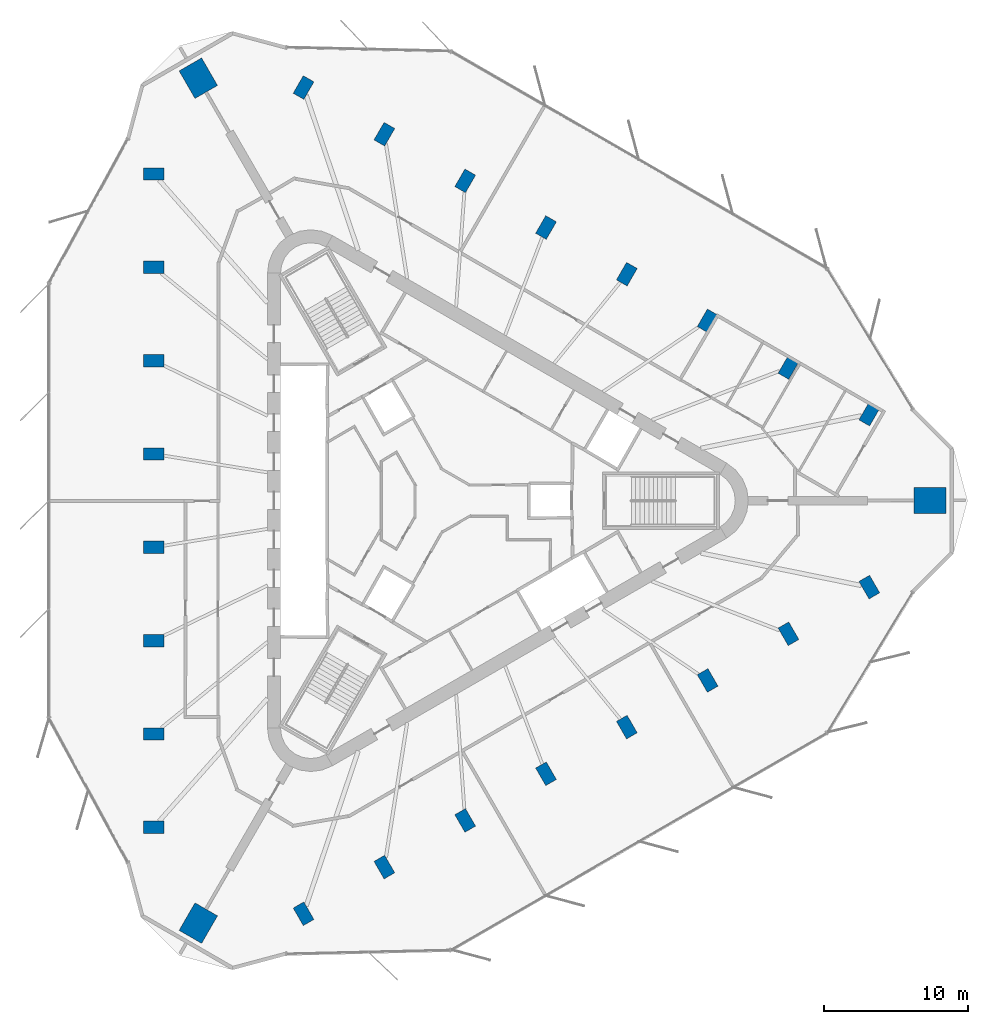
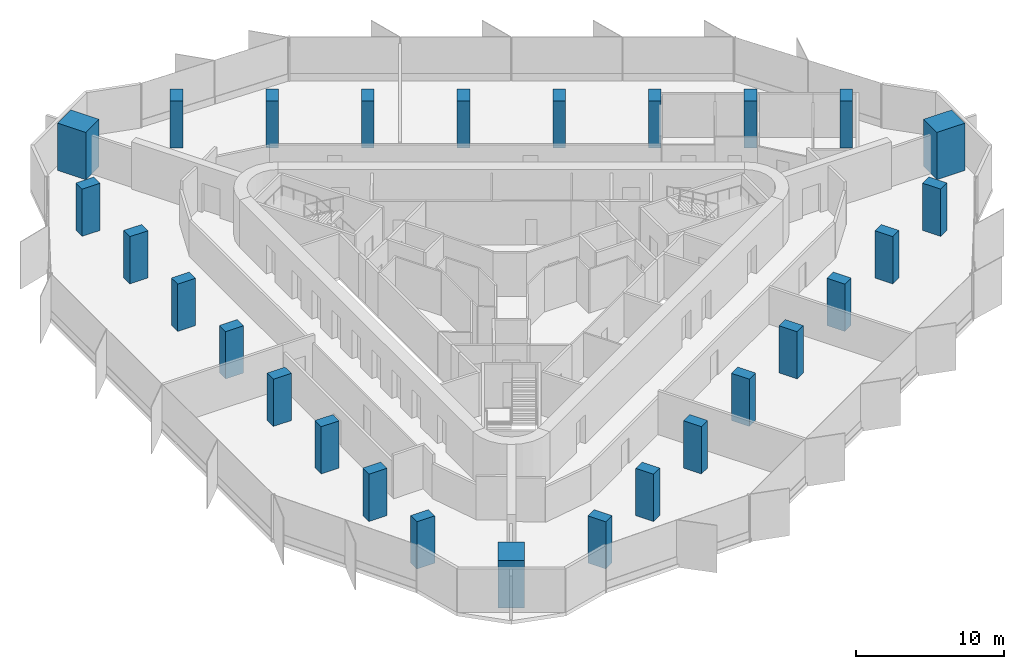
# One storey, part 1 of 12: 27 columns.
"""IFC4 building model written with IfcOpenShell, lengths in metres."""

from ifc_helpers import new_model, si_unit, direction, frame, origin, origin_2d, place, context, subcontext, project, spatial, rectangle, extrude, material, material_profile, profile_set, type_object, element, save


model = new_model("IFC4")

# Units and contexts
model_context = context("Model", 3, precision=1e-05, world=origin(), true_north=direction((0.0, 1.0)))
body_context = subcontext(model_context, "Body", "Model", "MODEL_VIEW")
ifc_project = project(units=[si_unit("LENGTHUNIT", "METRE"), si_unit("AREAUNIT", "SQUARE_METRE"), si_unit("VOLUMEUNIT", "CUBIC_METRE"), si_unit("PLANEANGLEUNIT", "RADIAN"), si_unit("MASSUNIT", "GRAM", prefix="KILO")], contexts=[model_context])

# Site, building, storey
site_placement = place(None, origin())
site = spatial("IfcSite", under=ifc_project, at=site_placement, CompositionType="ELEMENT")
building_placement = place(site_placement, origin())
building = spatial("IfcBuilding", under=site, at=building_placement, Name="Tanit Gate Tower", CompositionType="ELEMENT")
storey_placement = place(building_placement, frame((0.0, 0.0, 337.699951171875)))
storey = spatial("IfcBuildingStorey", under=building, at=storey_placement, Name="L76", CompositionType="ELEMENT", Elevation=337.699951171875)

# Columns
ifc_material_1 = material(Name="Concrete C50/60", Category="concrete")
ifc_material_profile_1 = material_profile(ifc_material_1, rectangle(XDim=2.199951171875, YDim=1.800048828125, at=origin_2d()), Name="RC 2200x1800")
ifc_profile_set_1 = profile_set([ifc_material_profile_1], Name="Concrete C50/60")
column_type_1 = type_object("IfcColumnType", Name="MEGA COLUMN 2200x1800 C50/60", PredefinedType="COLUMN", material=ifc_profile_set_1)
for number, where, z_axis, x_axis, name in (
    (1, (33.787109375, 0.0, 0.0), (0.0, 0.0, 1.0), (1.0, 0.0, 0.0), "MEGA COLUMN"),
    (2, (-16.8935546875, 29.260498046875, 0.0), (0.0, 0.0, 1.0), (-0.5, 0.866025403784, 0.0), "MEGA COLUMN"),
    (3, (-16.8935546875, -29.260498046875, 0.0), (0.0, 0.0, 1.0), (-0.5, -0.866025403784, 0.0), "MEGA COLUMN"),
):
    element("IfcColumn", number, at=place(storey_placement, frame(where, z_axis=z_axis, x_axis=x_axis)), inside=storey, type_object=column_type_1, Name=name, PredefinedType="COLUMN", context=body_context, shape_type="SweptSolid", body=[
        extrude(rectangle(XDim=2.199951171875, YDim=1.800048828125, at=origin_2d()), origin(), (0.0, 0.0, 1.0), 3.900146484375),
    ])
ifc_material_2 = material(Name="Concrete C40/50", Category="concrete")
ifc_material_profile_2 = material_profile(ifc_material_2, rectangle(XDim=1.39990234375, YDim=0.85009765625, at=origin_2d()), Name="RC 1400x850")
ifc_profile_set_2 = profile_set([ifc_material_profile_2], Name="Concrete C40/50")
column_type_2 = type_object("IfcColumnType", Name="PERIMETER COLUMN 1400x850 C40/50", PredefinedType="COLUMN", material=ifc_profile_set_2)
for number, where, z_axis, x_axis, name in (
    (4, (-19.977783203125, 22.62353515625, 0.0), (0.0, 0.0, 1.0), (-1.0, 0.0, 0.0), "PERIMETER COLUMN"),
    (5, (-19.977783203125, 16.15966796875, 0.0), (0.0, 0.0, 1.0), (-1.0, 0.0, 0.0), "PERIMETER COLUMN"),
    (6, (-19.977783203125, 9.69580078125, 0.0), (0.0, 0.0, 1.0), (-1.0, 0.0, 0.0), "PERIMETER COLUMN"),
    (7, (-19.977783203125, 3.23193359375, 0.0), (0.0, 0.0, 1.0), (-1.0, 0.0, 0.0), "PERIMETER COLUMN"),
    (8, (-19.977783203125, -3.23193359375, 0.0), (0.0, 0.0, 1.0), (-1.0, 0.0, 0.0), "PERIMETER COLUMN"),
    (9, (-19.977783203125, -9.69580078125, 0.0), (0.0, 0.0, 1.0), (-1.0, 0.0, 0.0), "PERIMETER COLUMN"),
    (10, (-19.977783203125, -16.15966796875, 0.0), (0.0, 0.0, 1.0), (-1.0, 0.0, 0.0), "PERIMETER COLUMN"),
    (11, (-19.977783203125, -22.62353515625, 0.0), (0.0, 0.0, 1.0), (-1.0, 0.0, 0.0), "PERIMETER COLUMN"),
    (12, (29.58154296875, 5.989501953125, 0.0), (0.0, 0.0, 1.0), (0.5, 0.866025403784, 0.0), "PERIMETER COLUMN"),
    (13, (23.983642578125, 9.22119140625, 0.0), (0.0, 0.0, 1.0), (0.5, 0.866025403784, 0.0), "PERIMETER COLUMN"),
    (14, (18.3857421875, 12.453369140625, 0.0), (0.0, 0.0, 1.0), (0.5, 0.866025403784, 0.0), "PERIMETER COLUMN"),
    (15, (12.787841796875, 15.685302734375, 0.0), (0.0, 0.0, 1.0), (0.5, 0.866025403784, 0.0), "PERIMETER COLUMN"),
    (16, (7.18994140625, 18.917236328125, 0.0), (0.0, 0.0, 1.0), (0.5, 0.866025403784, 0.0), "PERIMETER COLUMN"),
    (17, (1.592041015625, 22.149169921875, 0.0), (0.0, 0.0, 1.0), (0.5, 0.866025403784, 0.0), "PERIMETER COLUMN"),
    (18, (-4.005859375, 25.381103515625, 0.0), (0.0, 0.0, 1.0), (0.5, 0.866025403784, 0.0), "PERIMETER COLUMN"),
    (19, (-9.603759765625, 28.613037109375, 0.0), (0.0, 0.0, 1.0), (0.5, 0.866025403784, 0.0), "PERIMETER COLUMN"),
    (20, (-9.603759765625, -28.613037109375, 0.0), (0.0, 0.0, 1.0), (0.5, -0.866025403784, 0.0), "PERIMETER COLUMN"),
    (21, (-4.005859375, -25.381103515625, 0.0), (0.0, 0.0, 1.0), (0.5, -0.866025403784, 0.0), "PERIMETER COLUMN"),
    (22, (1.592041015625, -22.149169921875, 0.0), (0.0, 0.0, 1.0), (0.5, -0.866025403784, 0.0), "PERIMETER COLUMN"),
    (23, (7.18994140625, -18.917236328125, 0.0), (0.0, 0.0, 1.0), (0.5, -0.866025403784, 0.0), "PERIMETER COLUMN"),
    (24, (12.787841796875, -15.685302734375, 0.0), (0.0, 0.0, 1.0), (0.5, -0.866025403784, 0.0), "PERIMETER COLUMN"),
    (25, (18.3857421875, -12.453369140625, 0.0), (0.0, 0.0, 1.0), (0.5, -0.866025403784, 0.0), "PERIMETER COLUMN"),
    (26, (23.983642578125, -9.22119140625, 0.0), (0.0, 0.0, 1.0), (0.5, -0.866025403784, 0.0), "PERIMETER COLUMN"),
    (27, (29.58154296875, -5.989501953125, 0.0), (0.0, 0.0, 1.0), (0.5, -0.866025403784, 0.0), "PERIMETER COLUMN"),
):
    element("IfcColumn", number, at=place(storey_placement, frame(where, z_axis=z_axis, x_axis=x_axis)), inside=storey, type_object=column_type_2, Name=name, PredefinedType="COLUMN", context=body_context, shape_type="SweptSolid", body=[
        extrude(rectangle(XDim=1.39990234375, YDim=0.85009765625, at=origin_2d()), origin(), (0.0, 0.0, 1.0), 3.900146484375),
    ])

save(model, "model.ifc")
